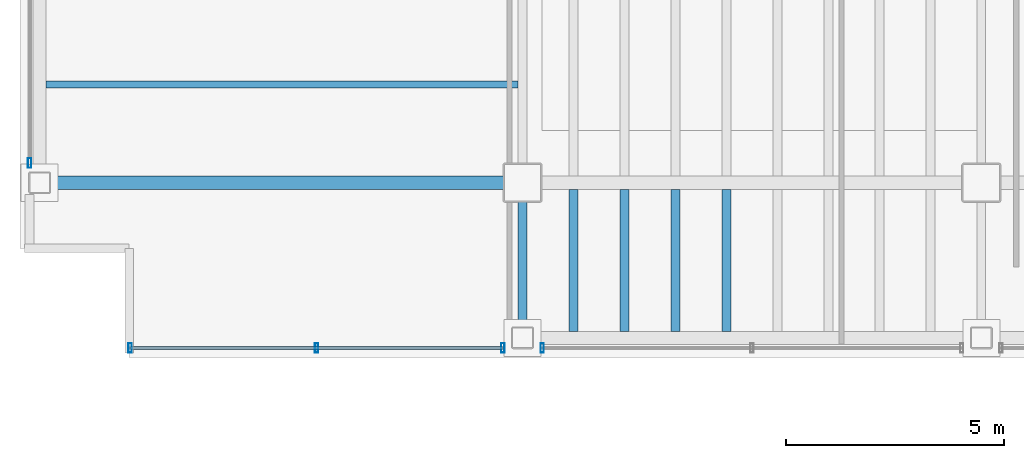
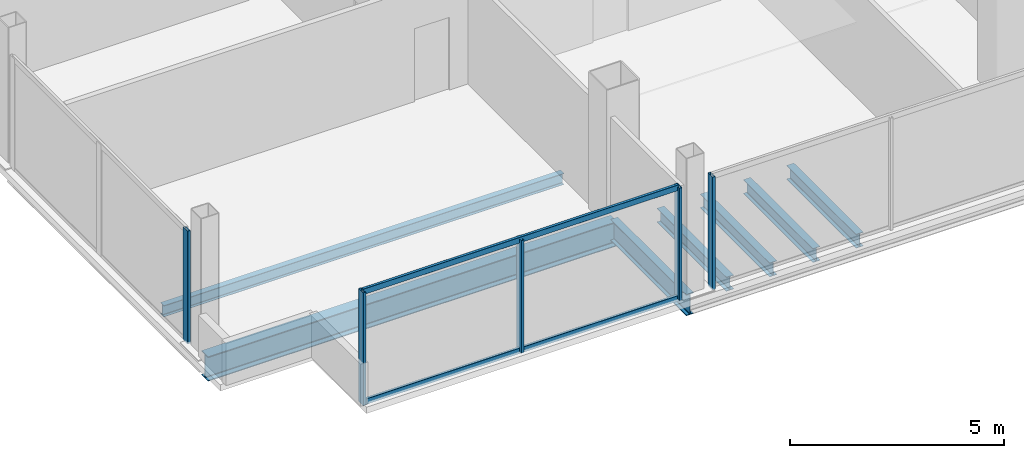
# One storey, part 2 of 19: 7 beams, 7 members, 3 elements without a shape of their own.
"""IFC4 building model written with IfcOpenShell, lengths in metres."""

from ifc_helpers import new_model, si_unit, direction, frame, origin, origin_2d, place, context, subcontext, project, spatial, hollow_rectangle, i_section, extrude, material, material_profile, profile_set, type_object, element, aggregate, save


model = new_model("IFC4")

# Units and contexts
model_context = context("Model", 3, precision=1e-05, world=origin(), true_north=direction((0.0, 1.0)))
body_context = subcontext(model_context, "Body", "Model", "MODEL_VIEW")
ifc_project = project(units=[si_unit("LENGTHUNIT", "METRE"), si_unit("AREAUNIT", "SQUARE_METRE"), si_unit("VOLUMEUNIT", "CUBIC_METRE"), si_unit("PLANEANGLEUNIT", "RADIAN"), si_unit("MASSUNIT", "GRAM", prefix="KILO")], contexts=[model_context])

# Site, building, storey
site_placement = place(None, origin())
site = spatial("IfcSite", under=ifc_project, at=site_placement, CompositionType="ELEMENT")
building_placement = place(site_placement, origin())
building = spatial("IfcBuilding", under=site, at=building_placement, Name="Noeulbin Bourse Tower", CompositionType="ELEMENT")
storey_placement = place(building_placement, frame((0.0, 0.0, 146.10009765625)))
storey = spatial("IfcBuildingStorey", under=building, at=storey_placement, Name="L36", CompositionType="ELEMENT", Elevation=146.10009765625)

# Beams
ifc_material_1 = material(Name="Steel S355", Category="steel")
ifc_material_profile_1 = material_profile(ifc_material_1, i_section(OverallWidth=0.199951171875, OverallDepth=0.60009765625, WebThickness=0.010986328125, FlangeThickness=0.01708984375, FilletRadius=0.02197265625, at=origin_2d()), Name="H-600x200x11x17", Category="LoadBearing")
ifc_profile_set_1 = profile_set([ifc_material_profile_1], Name="Steel S355")
beam_type_1 = type_object("IfcBeamType", Name="BM-GRD-600", PredefinedType="USERDEFINED", material=ifc_profile_set_1)
beam_1_placement = place(storey_placement, frame((13.5, 16.449951171875, -0.47998046875), z_axis=(0.0, 1.0, 0.0), x_axis=(-1.0, 0.0, 0.0)))
element("IfcBeam", 1, at=beam_1_placement, inside=storey, type_object=beam_type_1, Name="Tower Primary Girder NS L36-1.1", ObjectType="GIRDER", PredefinedType="USERDEFINED", context=body_context, shape_type="SweptSolid", body=[
    extrude(i_section(OverallWidth=0.199951171875, OverallDepth=0.60009765625, WebThickness=0.010986328125, FlangeThickness=0.01708984375, FilletRadius=0.02197265625, at=origin_2d()), origin(), (0.0, 0.0, 1.0), 3.550048828125),
])
ifc_material_profile_2 = material_profile(ifc_material_1, i_section(OverallWidth=0.300048828125, OverallDepth=0.699951171875, WebThickness=0.012939453125, FlangeThickness=0.02392578125, FilletRadius=0.02392578125, at=origin_2d()), Name="H-700x300x13x24", Category="LoadBearing")
ifc_profile_set_2 = profile_set([ifc_material_profile_2], Name="Steel S355")
beam_type_2 = type_object("IfcBeamType", Name="BM-GRD-700", PredefinedType="USERDEFINED", material=ifc_profile_set_2)
beam_2_placement = place(storey_placement, frame((2.449951171875, 20.0, -0.530029296875), z_axis=(1.0, 0.0, 0.0), x_axis=(0.0, 1.0, 0.0)))
element("IfcBeam", 2, at=beam_2_placement, inside=storey, type_object=beam_type_2, Name="Tower Primary Girder EW L36-1.1", ObjectType="GIRDER", PredefinedType="USERDEFINED", context=body_context, shape_type="SweptSolid", body=[
    extrude(i_section(OverallWidth=0.300048828125, OverallDepth=0.699951171875, WebThickness=0.012939453125, FlangeThickness=0.02392578125, FilletRadius=0.02392578125, at=origin_2d()), origin(), (0.0, 0.0, 1.0), 11.050048828125),
])
ifc_material_profile_3 = material_profile(ifc_material_1, i_section(OverallWidth=0.159912109375, OverallDepth=0.320068359375, WebThickness=0.006591796875, FlangeThickness=0.010009765625, FilletRadius=0.012939453125, at=origin_2d()), Name="H-320x160x6.5x10", Category="LoadBearing")
ifc_profile_set_3 = profile_set([ifc_material_profile_3], Name="Steel S355")
beam_type_3 = type_object("IfcBeamType", Name="BM-JST-320", PredefinedType="JOIST", material=ifc_profile_set_3)
beam_3_placement = place(storey_placement, frame((2.60009765625, 22.25, -0.340087890625), z_axis=(1.0, 0.0, 0.0), x_axis=(0.0, 1.0, 0.0)))
element("IfcBeam", 3, at=beam_3_placement, inside=storey, type_object=beam_type_3, Name="Wing Composite Joist L36-W70", PredefinedType="JOIST", context=body_context, shape_type="SweptSolid", body=[
    extrude(i_section(OverallWidth=0.159912109375, OverallDepth=0.320068359375, WebThickness=0.006591796875, FlangeThickness=0.010009765625, FilletRadius=0.012939453125, at=origin_2d()), origin(), (0.0, 0.0, 1.0), 10.7998046875),
])
ifc_material_profile_4 = material_profile(ifc_material_1, i_section(OverallWidth=0.199951171875, OverallDepth=0.39990234375, WebThickness=0.008056640625, FlangeThickness=0.012939453125, FilletRadius=0.01611328125, at=origin_2d()), Name="H-400x200x8x13", Category="LoadBearing")
ifc_profile_set_4 = profile_set([ifc_material_profile_4], Name="Steel S355")
beam_type_4 = type_object("IfcBeamType", Name="BM-SEC-400", PredefinedType="BEAM", material=ifc_profile_set_4)
for number, where, z_axis, x_axis, name in (
    (4, (14.666748046875, 16.60009765625, -0.380126953125), (0.0, 1.0, 0.0), (-1.0, 0.0, 0.0), "Tower Composite Joist L36-01"),
    (5, (15.833251953125, 16.60009765625, -0.380126953125), (0.0, 1.0, 0.0), (-1.0, 0.0, 0.0), "Tower Composite Joist L36-04"),
    (6, (17.0, 16.60009765625, -0.380126953125), (0.0, 1.0, 0.0), (-1.0, 0.0, 0.0), "Tower Composite Joist L36-07"),
    (7, (18.166748046875, 16.60009765625, -0.380126953125), (0.0, 1.0, 0.0), (-1.0, 0.0, 0.0), "Tower Composite Joist L36-10"),
):
    element("IfcBeam", number, at=place(storey_placement, frame(where, z_axis=z_axis, x_axis=x_axis)), inside=storey, type_object=beam_type_4, Name=name, PredefinedType="BEAM", context=body_context, shape_type="SweptSolid", body=[
        extrude(i_section(OverallWidth=0.199951171875, OverallDepth=0.39990234375, WebThickness=0.008056640625, FlangeThickness=0.012939453125, FilletRadius=0.01611328125, at=origin_2d()), origin(), (0.0, 0.0, 1.0), 3.25),
    ])

# Curtain wall, members
ifc_material_2 = material(Name="Dark Tinted Triple Glazing", Category="glass")
curtain_wall_type = type_object("IfcCurtainWallType", Name="CW-SYS-3", PredefinedType="NOTDEFINED", material=ifc_material_2)
curtain_wall_1_placement = place(storey_placement, origin())
curtain_wall_1 = element("IfcCurtainWall", 8, at=curtain_wall_1_placement, inside=storey, type_object=curtain_wall_type, Name="Unitised Curtain Wall CW-L36-S1-S1", PredefinedType="NOTDEFINED")
ifc_material_3 = material(Name="Anodised Aluminium 6063-T6", Category="aluminium")
ifc_material_profile_5 = material_profile(ifc_material_3, hollow_rectangle(XDim=0.074951171875, YDim=0.219970703125, WallThickness=0.0048828125, InnerFilletRadius=0.00244140625, OuterFilletRadius=0.0048828125, at=origin_2d()), Name="ALU-MULL-75x220x5", Category="LoadBearing")
ifc_profile_set_5 = profile_set([ifc_material_profile_5], Name="Anodised Aluminium 6063-T6")
member_type_1 = type_object("IfcMemberType", Name="CW-SYS-3-MUL", PredefinedType="MULLION", material=ifc_profile_set_5)
member_1_placement = place(storey_placement, frame((4.52001953125, 16.219970703125, -0.02001953125), z_axis=(0.0, 0.0, 1.0), x_axis=(1.0, 0.0, 0.0)))
member_1 = element("IfcMember", 9, at=member_1_placement, type_object=member_type_1, Name="Curtain Wall Mullion CW-L36-S1-S1-M00", PredefinedType="MULLION", context=body_context, shape_type="SweptSolid", body=[
    extrude(hollow_rectangle(XDim=0.074951171875, YDim=0.219970703125, WallThickness=0.0048828125, InnerFilletRadius=0.00244140625, OuterFilletRadius=0.0048828125, at=origin_2d()), origin(), (0.0, 0.0, 1.0), 3.219970703125),
])
member_2_placement = place(storey_placement, frame((8.784912109375, 16.219970703125, -0.02001953125), z_axis=(0.0, 0.0, 1.0), x_axis=(1.0, 0.0, 0.0)))
member_2 = element("IfcMember", 10, at=member_2_placement, type_object=member_type_1, Name="Curtain Wall Mullion CW-L36-S1-S1-M01", PredefinedType="MULLION", context=body_context, shape_type="SweptSolid", body=[
    extrude(hollow_rectangle(XDim=0.074951171875, YDim=0.219970703125, WallThickness=0.0048828125, InnerFilletRadius=0.00244140625, OuterFilletRadius=0.0048828125, at=origin_2d()), origin(), (0.0, 0.0, 1.0), 3.219970703125),
])
member_3_placement = place(storey_placement, frame((13.050048828125, 16.219970703125, -0.02001953125), z_axis=(0.0, 0.0, 1.0), x_axis=(1.0, 0.0, 0.0)))
member_3 = element("IfcMember", 11, at=member_3_placement, type_object=member_type_1, Name="Curtain Wall Mullion CW-L36-S1-S1-M02", PredefinedType="MULLION", context=body_context, shape_type="SweptSolid", body=[
    extrude(hollow_rectangle(XDim=0.074951171875, YDim=0.219970703125, WallThickness=0.0048828125, InnerFilletRadius=0.00244140625, OuterFilletRadius=0.0048828125, at=origin_2d()), origin(), (0.0, 0.0, 1.0), 3.219970703125),
])

# Curtain wall, member
curtain_wall_2_placement = place(storey_placement, origin())
curtain_wall_2 = element("IfcCurtainWall", 12, at=curtain_wall_2_placement, inside=storey, type_object=curtain_wall_type, Name="Unitised Curtain Wall CW-L36-S1-S2", PredefinedType="NOTDEFINED")
member_4_placement = place(storey_placement, frame((13.949951171875, 16.219970703125, -0.02001953125), z_axis=(0.0, 0.0, 1.0), x_axis=(1.0, 0.0, 0.0)))
member_4 = element("IfcMember", 13, at=member_4_placement, type_object=member_type_1, Name="Curtain Wall Mullion CW-L36-S1-S2-M00", PredefinedType="MULLION", context=body_context, shape_type="SweptSolid", body=[
    extrude(hollow_rectangle(XDim=0.074951171875, YDim=0.219970703125, WallThickness=0.0048828125, InnerFilletRadius=0.00244140625, OuterFilletRadius=0.0048828125, at=origin_2d()), origin(), (0.0, 0.0, 1.0), 3.219970703125),
])
aggregate(curtain_wall_2, [member_4])

curtain_wall_3_placement = place(storey_placement, origin())
curtain_wall_3 = element("IfcCurtainWall", 14, at=curtain_wall_3_placement, inside=storey, type_object=curtain_wall_type, Name="Unitised Curtain Wall CW-L36-W-S1", PredefinedType="NOTDEFINED")
member_5_placement = place(storey_placement, frame((2.219970703125, 20.449951171875, -0.02001953125), z_axis=(0.0, 0.0, 1.0), x_axis=(1.0, 0.0, 0.0)))
member_5 = element("IfcMember", 15, at=member_5_placement, type_object=member_type_1, Name="Curtain Wall Mullion CW-L36-W-S1-M00", PredefinedType="MULLION", context=body_context, shape_type="SweptSolid", body=[
    extrude(hollow_rectangle(XDim=0.074951171875, YDim=0.219970703125, WallThickness=0.0048828125, InnerFilletRadius=0.00244140625, OuterFilletRadius=0.0048828125, at=origin_2d()), origin(), (0.0, 0.0, 1.0), 3.219970703125),
])
aggregate(curtain_wall_3, [member_5])

# Member
ifc_material_profile_6 = material_profile(ifc_material_3, hollow_rectangle(XDim=0.074951171875, YDim=0.159912109375, WallThickness=0.0048828125, InnerFilletRadius=0.00244140625, OuterFilletRadius=0.0048828125, at=origin_2d()), Name="ALU-TRAN-75x160x5", Category="LoadBearing")
ifc_profile_set_6 = profile_set([ifc_material_profile_6], Name="Anodised Aluminium 6063-T6")
member_type_2 = type_object("IfcMemberType", Name="CW-SYS-3-TRN", PredefinedType="USERDEFINED", material=ifc_profile_set_6)
member_6_placement = place(storey_placement, frame((4.530029296875, 16.219970703125, 0.010009765625), z_axis=(1.0, 0.0, 0.0), x_axis=(0.0, 1.0, 0.0)))
member_6 = element("IfcMember", 16, at=member_6_placement, type_object=member_type_2, Name="Curtain Wall Transom CW-L36-S1-S1-T00", ObjectType="TRANSOM", PredefinedType="USERDEFINED", context=body_context, shape_type="SweptSolid", body=[
    extrude(hollow_rectangle(XDim=0.074951171875, YDim=0.159912109375, WallThickness=0.0048828125, InnerFilletRadius=0.00244140625, OuterFilletRadius=0.0048828125, at=origin_2d()), origin(), (0.0, 0.0, 1.0), 8.510009765625),
])

member_7_placement = place(storey_placement, frame((4.530029296875, 16.219970703125, 3.169921875), z_axis=(1.0, 0.0, 0.0), x_axis=(0.0, 1.0, 0.0)))
member_7 = element("IfcMember", 17, at=member_7_placement, type_object=member_type_2, Name="Curtain Wall Transom CW-L36-S1-S1-T01", ObjectType="TRANSOM", PredefinedType="USERDEFINED", context=body_context, shape_type="SweptSolid", body=[
    extrude(hollow_rectangle(XDim=0.074951171875, YDim=0.159912109375, WallThickness=0.0048828125, InnerFilletRadius=0.00244140625, OuterFilletRadius=0.0048828125, at=origin_2d()), origin(), (0.0, 0.0, 1.0), 8.510009765625),
])

aggregate(curtain_wall_1, [member_1, member_2, member_3, member_6, member_7])

save(model, "model.ifc")
